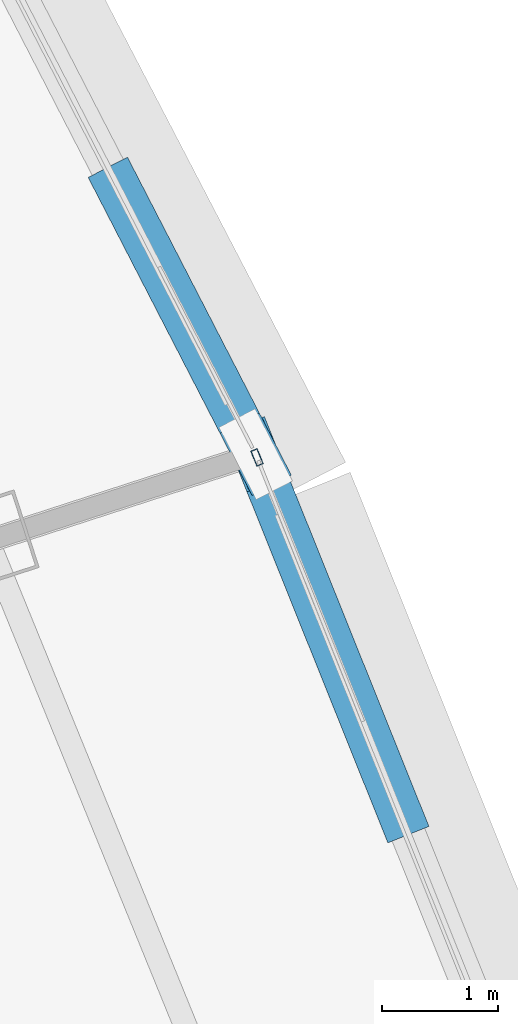
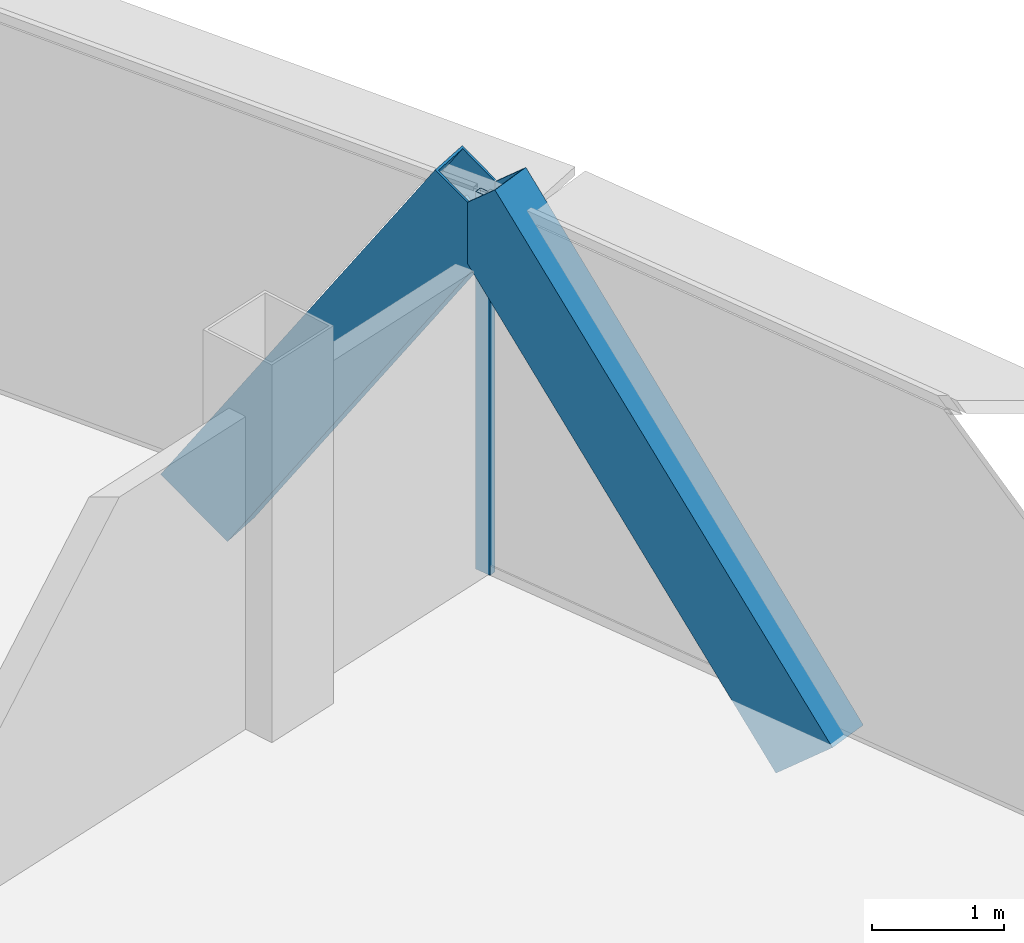
# One storey, part 16 of 30: 3 members, 1 element without a shape of its own.
"""IFC4 building model written with IfcOpenShell, lengths in metres."""

import ifcopenshell
import ifcopenshell.guid

model = None  # the IFC model being written
_history = None  # IfcOwnerHistory: only IFC2X3 demands one
_inside = {}  # id of a spatial element -> (the spatial element, [elements in it])
_under = {}  # id of a project, library or spatial element -> (it, [spatial elements below it])
_declared = {}  # id of a project -> (the project, [libraries it declares])
_typed = {}  # id of a type object -> (the type object, [elements of that type])
_made_of = {}  # id of a material, layer set ... -> (it, [elements and type objects made of it])


def new_model(schema):
    """Start an empty IFC model of exactly this schema.

    Asked for "IFC4X3", IfcOpenShell would pick the latest addendum, in which some entities
    have other attributes; the version numbers below select the first issue.
    IFC2X3 requires an IfcOwnerHistory on every rooted entity: one is made here for all.
    """
    global model, _history
    if schema == "IFC4X3":
        model = ifcopenshell.file(schema_version=(4, 3, 0, 0))
    else:
        model = ifcopenshell.file(schema=schema)
    _inside.clear()
    _under.clear()
    _declared.clear()
    _typed.clear()
    _made_of.clear()
    _history = None
    if model.schema == "IFC2X3":
        org = make("IfcOrganization", Name="unknown")
        user = make(
            "IfcPersonAndOrganization",
            ThePerson=make("IfcPerson", FamilyName="unknown"),
            TheOrganization=org,
        )
        app = make(
            "IfcApplication",
            ApplicationDeveloper=org,
            Version="unknown",
            ApplicationFullName="unknown",
            ApplicationIdentifier="unknown",
        )
        _history = make(
            "IfcOwnerHistory",
            OwningUser=user,
            OwningApplication=app,
            ChangeAction="ADDED",
            CreationDate=0,
        )
    return model


def make(cls, **values):
    """One entity of the class cls with the attributes given. An attribute that is None is left unset."""
    return model.create_entity(
        cls, **{name: value for name, value in values.items() if value is not None}
    )


def rooted(cls, **values):
    """An entity with a GlobalId (a new one), such as an element, a storey or a relation."""
    return make(cls, GlobalId=ifcopenshell.guid.new(), OwnerHistory=_history, **values)


def si_unit(unit_type, name, prefix=None):
    """IfcSIUnit, for example si_unit("LENGTHUNIT", "METRE", prefix="MILLI")."""
    return make("IfcSIUnit", UnitType=unit_type, Prefix=prefix, Name=name)


def assignment(units):
    """IfcUnitAssignment: the units of a project."""
    return None if units is None else make("IfcUnitAssignment", Units=units)


def point(xyz):
    """IfcCartesianPoint."""
    return None if xyz is None else make("IfcCartesianPoint", Coordinates=xyz)


def direction(xyz):
    """IfcDirection."""
    return None if xyz is None else make("IfcDirection", DirectionRatios=xyz)


def frame(location, z_axis=None, x_axis=None):
    """IfcAxis2Placement3D, a coordinate frame: its origin and axes. An axis left out is left unset."""
    return make(
        "IfcAxis2Placement3D",
        Location=point(location),
        Axis=direction(z_axis),
        RefDirection=direction(x_axis),
    )


def frame_2d(location, x_axis=None):
    """IfcAxis2Placement2D, a coordinate frame in the plane: its origin and x axis."""
    return make(
        "IfcAxis2Placement2D", Location=point(location), RefDirection=direction(x_axis)
    )


def origin():
    """The frame at (0, 0, 0) with its axes left unset."""
    return frame((0.0, 0.0, 0.0))


def origin_2d():
    """The frame at (0, 0) in the plane with its x axis left unset."""
    return frame_2d((0.0, 0.0))


def place(relative_to, where):
    """IfcLocalPlacement: puts the frame where relative to a parent placement (None: the world)."""
    return make(
        "IfcLocalPlacement", PlacementRelTo=relative_to, RelativePlacement=where
    )


def context(
    kind, dimensions, precision=None, world=None, true_north=None, identifier=None
):
    """IfcGeometricRepresentationContext, for example the 3D "Model" context."""
    return make(
        "IfcGeometricRepresentationContext",
        ContextIdentifier=identifier,
        ContextType=kind,
        CoordinateSpaceDimension=dimensions,
        Precision=precision,
        WorldCoordinateSystem=world,
        TrueNorth=true_north,
    )


def subcontext(parent, identifier, kind, view, scale=None):
    """IfcGeometricRepresentationSubContext, for example "Body" below "Model"."""
    return make(
        "IfcGeometricRepresentationSubContext",
        ContextIdentifier=identifier,
        ContextType=kind,
        ParentContext=parent,
        TargetScale=scale,
        TargetView=view,
    )


def project(units=None, contexts=None):
    """IfcProject with its units and contexts."""
    return rooted(
        "IfcProject",
        Name="project",
        RepresentationContexts=contexts,
        UnitsInContext=assignment(units),
    )


def spatial(cls, under=None, at=None, **own):
    """A site, building, storey or space (cls), placed at a placement, below another one or the project."""
    s = rooted(cls, ObjectPlacement=at, **own)
    if under is not None:
        _under.setdefault(under.id(), (under, []))[1].append(s)
    return s


def profile(cls, at=None, kind="AREA", **sizes):
    """A parametric profile (cls). Its sizes go by their IFC names, for example OverallWidth=200.0."""
    return make(cls, ProfileType=kind, Position=at, **sizes)


def hollow_rectangle(**sizes):
    """IfcRectangleHollowProfileDef."""
    return profile("IfcRectangleHollowProfileDef", **sizes)


def extrude(swept, where, along, depth):
    """IfcExtrudedAreaSolid: the profile swept, set in the frame where, extruded along a direction by depth."""
    return make(
        "IfcExtrudedAreaSolid",
        SweptArea=swept,
        Position=where,
        ExtrudedDirection=direction(along),
        Depth=depth,
    )


def shape(context_of_items, identifier, shape_type, items):
    """IfcShapeRepresentation: the items that make up one representation, for example the "Body"."""
    return make(
        "IfcShapeRepresentation",
        ContextOfItems=context_of_items,
        RepresentationIdentifier=identifier,
        RepresentationType=shape_type,
        Items=items,
    )


def source(mapping_origin, context_of_items, identifier, shape_type, items):
    """IfcRepresentationMap: a shape defined once, which mapped items show again and again."""
    return make(
        "IfcRepresentationMap",
        MappingOrigin=mapping_origin,
        MappedRepresentation=shape(context_of_items, identifier, shape_type, items),
    )


def transform(
    local_origin,
    x_axis=None,
    y_axis=None,
    z_axis=None,
    scale=None,
    scale2=None,
    scale3=None,
    uniform=True,
):
    """IfcCartesianTransformationOperator3D, or its non-uniform kind. x_axis, y_axis, z_axis: its Axis1, 2, 3."""
    if uniform:
        return make(
            "IfcCartesianTransformationOperator3D",
            Axis1=direction(x_axis),
            Axis2=direction(y_axis),
            LocalOrigin=point(local_origin),
            Scale=scale,
            Axis3=direction(z_axis),
        )
    return make(
        "IfcCartesianTransformationOperator3DnonUniform",
        Axis1=direction(x_axis),
        Axis2=direction(y_axis),
        LocalOrigin=point(local_origin),
        Scale=scale,
        Axis3=direction(z_axis),
        Scale2=scale2,
        Scale3=scale3,
    )


def mapped(mapping_source, mapping_target):
    """IfcMappedItem: shows the shape of a source again, moved by a transform."""
    return make(
        "IfcMappedItem", MappingSource=mapping_source, MappingTarget=mapping_target
    )


def material(Name=None, Category=None):
    """IfcMaterial."""
    return make("IfcMaterial", Name=Name, Category=Category)


def layer(
    of_material, thickness, ventilated=None, Name=None, Category=None, Priority=None
):
    """IfcMaterialLayer: one layer of a wall or slab, of a material (None: an air gap)."""
    return make(
        "IfcMaterialLayer",
        Material=of_material,
        LayerThickness=thickness,
        IsVentilated=ventilated,
        Name=Name,
        Category=Category,
        Priority=Priority,
    )


def layer_set(layers, Name=None):
    """IfcMaterialLayerSet."""
    return make("IfcMaterialLayerSet", MaterialLayers=layers, LayerSetName=Name)


def material_profile(
    of_material, cross_section, Name=None, Category=None, Priority=None
):
    """IfcMaterialProfile: a cross section and its material."""
    return make(
        "IfcMaterialProfile",
        Name=Name,
        Material=of_material,
        Profile=cross_section,
        Priority=Priority,
        Category=Category,
    )


def profile_set(profiles, Name=None, composite=None):
    """IfcMaterialProfileSet."""
    return make(
        "IfcMaterialProfileSet",
        Name=Name,
        MaterialProfiles=profiles,
        CompositeProfile=composite,
    )


def made_of(thing, what):
    """Note that an element or type object is made of a material, layer set ...; save() writes the relation."""
    if what is not None:
        _made_of.setdefault(what.id(), (what, []))[1].append(thing)
    return thing


def type_object(cls, material=None, **own):
    """A type object (cls), such as IfcWallType, which elements share."""
    return made_of(rooted(cls, **own), material)


def element(
    cls,
    number,
    at=None,
    inside=None,
    cuts=None,
    type_object=None,
    material=None,
    context=None,
    identifier="Body",
    shape_type=None,
    held_by="IfcProductDefinitionShape",
    body=None,
    shapes=None,
    **own,
):
    """One element of the class cls, such as IfcWall. Its Tag is "e" and its number.

    at: its placement. inside: the storey or other place that contains it. cuts: it is an
    opening in that element (IfcRelVoidsElement). A single representation is given by context,
    identifier, shape_type and body (its items); several are given by shapes. held_by: the class
    of the entity that holds the representations. save() writes the other relations.
    """
    e = rooted(cls, Tag="e%d" % number, ObjectPlacement=at, **own)
    if body is not None:
        shapes = [shape(context, identifier, shape_type, body)]
    if shapes is not None:
        e.Representation = make(held_by, Representations=shapes)
    if inside is not None:
        _inside.setdefault(inside.id(), (inside, []))[1].append(e)
    if cuts is not None:
        rooted(
            "IfcRelVoidsElement", RelatingBuildingElement=cuts, RelatedOpeningElement=e
        )
    if type_object is not None:
        _typed.setdefault(type_object.id(), (type_object, []))[1].append(e)
    return made_of(e, material)


def aggregate(whole, parts):
    """IfcRelAggregates: a whole, such as a stair, and the parts it consists of."""
    return rooted("IfcRelAggregates", RelatingObject=whole, RelatedObjects=parts)


def save(model, path):
    """Write the relations noted so far, then the file.

    IfcRelAggregates (storeys below a building ...), IfcRelContainedInSpatialStructure (elements
    in a storey), IfcRelDefinesByType, IfcRelAssociatesMaterial and IfcRelDeclares: one each for
    every whole, place, type object, material and project.
    """
    for whole, parts in _under.values():
        aggregate(whole, parts)
    for where, things in _inside.values():
        rooted(
            "IfcRelContainedInSpatialStructure",
            RelatedElements=things,
            RelatingStructure=where,
        )
    for kind, things in _typed.values():
        rooted("IfcRelDefinesByType", RelatedObjects=things, RelatingType=kind)
    for what, things in _made_of.values():
        rooted("IfcRelAssociatesMaterial", RelatedObjects=things, RelatingMaterial=what)
    for by, libraries in _declared.values():
        rooted("IfcRelDeclares", RelatingContext=by, RelatedDefinitions=libraries)
    model.write(path)


model = new_model("IFC4")

# Units and contexts
model_context = context("Model", 3, precision=1e-05, world=origin(), true_north=direction((0.0, 1.0)))
body_context = subcontext(model_context, "Body", "Model", "MODEL_VIEW")
ifc_project = project(units=[si_unit("LENGTHUNIT", "METRE"), si_unit("AREAUNIT", "SQUARE_METRE"), si_unit("VOLUMEUNIT", "CUBIC_METRE"), si_unit("PLANEANGLEUNIT", "RADIAN"), si_unit("MASSUNIT", "GRAM", prefix="KILO"), si_unit("THERMODYNAMICTEMPERATUREUNIT", "KELVIN"), si_unit("POWERUNIT", "WATT")], contexts=[model_context])

# Site, building, storey
site_placement = place(None, origin())
site = spatial("IfcSite", under=ifc_project, at=site_placement, CompositionType="ELEMENT")
building_placement = place(site_placement, origin())
building = spatial("IfcBuilding", under=site, at=building_placement, Name="Yunzhuo Pagoda Commons", CompositionType="ELEMENT")
storey_placement = place(building_placement, frame((0.0, 0.0, 348.010009765625)))
storey = spatial("IfcBuildingStorey", under=building, at=storey_placement, Name="L87", CompositionType="ELEMENT", Elevation=348.010009765625)

# Members
ifc_material_1 = material(Name="Structural steel Q355B", Category="steel")
ifc_material_profile_1 = material_profile(ifc_material_1, hollow_rectangle(XDim=0.3798828125, YDim=0.719970703125, WallThickness=0.02001953125, at=origin_2d()), Name="Structural steel Q355B")
ifc_profile_set_1 = profile_set([ifc_material_profile_1], Name="Structural steel Q355B")
member_type_1 = type_object("IfcMemberType", Name="M-DL3 Brace BOX 720x380x20", PredefinedType="BRACE", material=ifc_profile_set_1)
shared_shape_1 = source(origin(), body_context, "Body", "SweptSolid", [
    extrude(hollow_rectangle(XDim=0.3798828125, YDim=0.719970703125, WallThickness=0.02001953125, at=origin_2d()), origin(), (0.0, 0.0, 1.0), 4.9609375),
])
member_1_placement = place(storey_placement, frame((71.563720703125, 37.948974609375, -0.260009765625), z_axis=(-0.243893842105, 0.60756928463, 0.755893747928), x_axis=(-0.928019800573, -0.37253087086, 0.0)))
element("IfcMember", 1, at=member_1_placement, inside=storey, type_object=member_type_1, Name="L87 facade diamond brace F2.1R", PredefinedType="BRACE", context=body_context, shape_type="MappedRepresentation", body=[
    mapped(shared_shape_1, transform((0.0, 0.0, 0.0), scale=1.0)),
])
shared_shape_2 = source(origin(), body_context, "Body", "SweptSolid", [
    extrude(hollow_rectangle(XDim=0.3798828125, YDim=0.719970703125, WallThickness=0.02001953125, at=origin_2d()), origin(), (0.0, 0.0, 1.0), 4.490966796875),
])
member_2_placement = place(storey_placement, frame((69.2216796875, 43.15966796875, -0.260009765625), z_axis=(0.252078865424, -0.489099321161, 0.835007844063), x_axis=(0.888886783274, 0.45812693276, 0.0)))
element("IfcMember", 2, at=member_2_placement, inside=storey, type_object=member_type_1, Name="L87 facade diamond brace F2.2L", PredefinedType="BRACE", context=body_context, shape_type="MappedRepresentation", body=[
    mapped(shared_shape_2, transform((0.0, 0.0, 0.0), scale=1.0)),
])

# Curtain wall, member
ifc_material_2 = material(Name="Anodized aluminium 6063-T6", Category="aluminium")
ifc_layer = layer(ifc_material_2, 0.139892578125)
ifc_layer_set = layer_set([ifc_layer], Name="Anodized aluminium 6063-T6")
curtain_wall_type = type_object("IfcCurtainWallType", Name="CW-HI High-Zone Ribbon Curtain Wall", PredefinedType="NOTDEFINED", material=ifc_layer_set)
curtain_wall_placement = place(storey_placement, origin())
curtain_wall = element("IfcCurtainWall", 3, at=curtain_wall_placement, inside=storey, type_object=curtain_wall_type, Name="L87 curtain wall CW-L87-F2B2", PredefinedType="NOTDEFINED")
ifc_material_profile_2 = material_profile(ifc_material_2, hollow_rectangle(XDim=0.06005859375, YDim=0.139892578125, WallThickness=0.00341796875, at=origin_2d()), Name="Anodized aluminium 6063-T6")
ifc_profile_set_2 = profile_set([ifc_material_profile_2], Name="Anodized aluminium 6063-T6")
member_type_2 = type_object("IfcMemberType", Name="CW-HI-M Mullion RHS 140x60x3.5", PredefinedType="MULLION", material=ifc_profile_set_2)
shared_shape_3 = source(origin(), body_context, "Body", "SweptSolid", [
    extrude(hollow_rectangle(XDim=0.06005859375, YDim=0.139892578125, WallThickness=0.00341796875, at=origin_2d()), origin(), (0.0, 0.0, 1.0), 3.489990234375),
])
member_3_placement = place(storey_placement, frame((70.364990234375, 40.935302734375, 0.0), z_axis=(0.0, 0.0, 1.0), x_axis=(-0.92803921175, -0.372482511608, 0.0)))
member_3 = element("IfcMember", 4, at=member_3_placement, type_object=member_type_2, Name="CW mullion 2", PredefinedType="MULLION", context=body_context, shape_type="MappedRepresentation", body=[
    mapped(shared_shape_3, transform((0.0, 0.0, 0.0), scale=1.0)),
])
aggregate(curtain_wall, [member_3])

save(model, "model.ifc")
